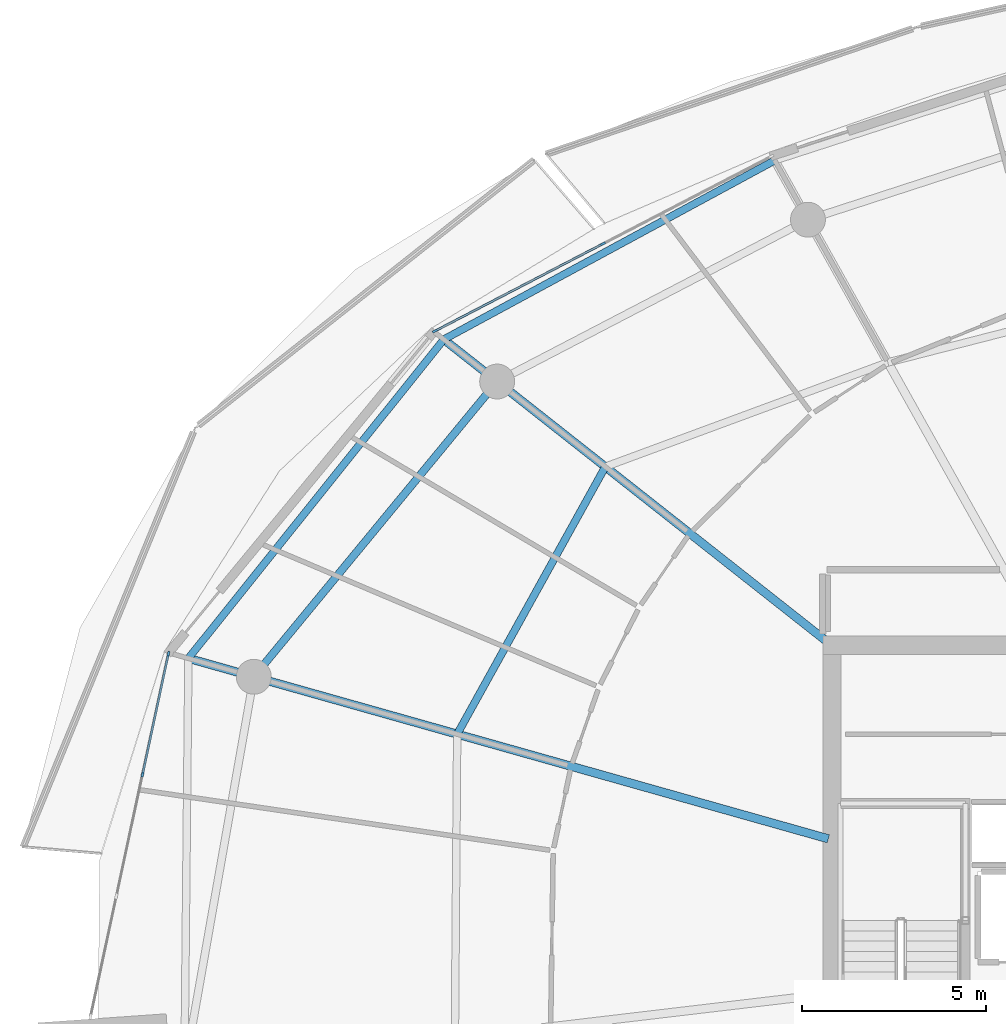
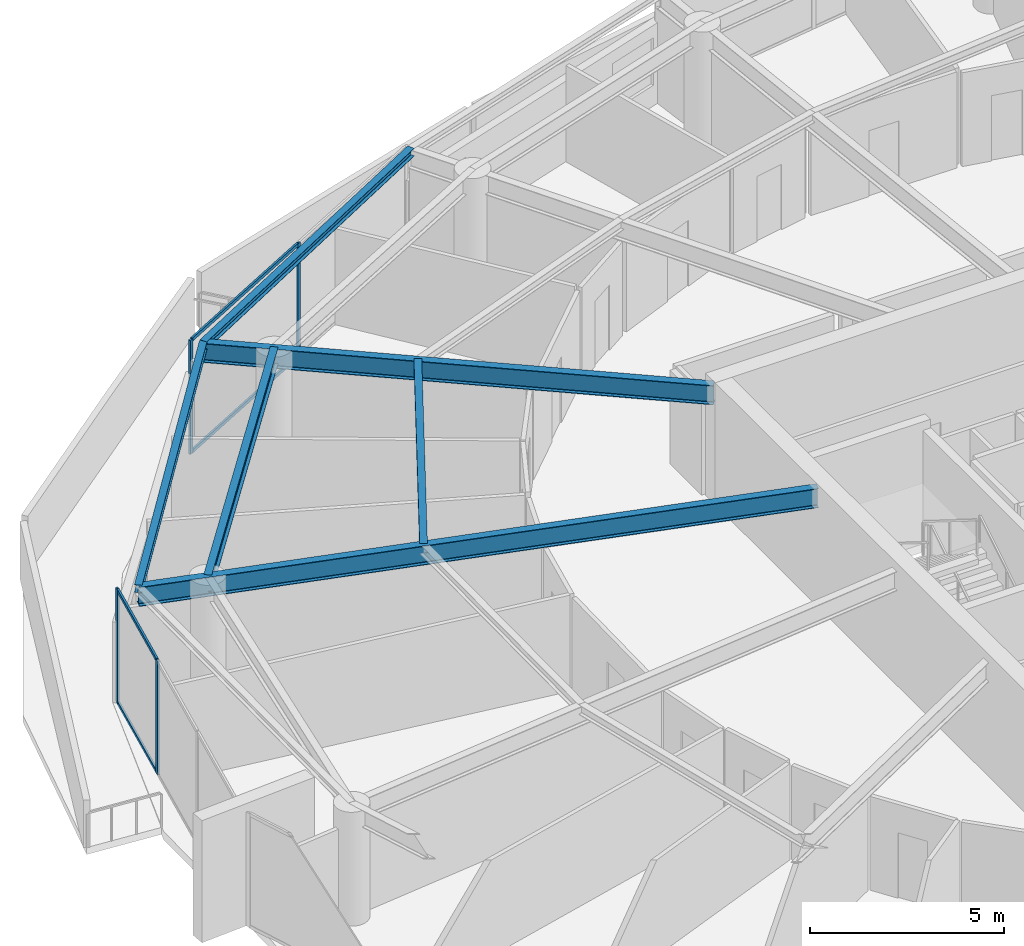
# One storey, part 12 of 30: 8 members, 6 beams, 2 elements without a shape of their own.
"""IFC4 building model written with IfcOpenShell, lengths in metres."""

from ifc_helpers import new_model, si_unit, direction, frame, origin, origin_2d, place, context, subcontext, project, spatial, rectangle, i_section, extrude, material, layer, layer_set, material_profile, profile_set, type_object, element, aggregate, save


model = new_model("IFC4")

# Units and contexts
model_context = context("Model", 3, precision=1e-05, world=origin(), true_north=direction((0.0, 1.0)))
body_context = subcontext(model_context, "Body", "Model", "MODEL_VIEW")
ifc_project = project(units=[si_unit("LENGTHUNIT", "METRE"), si_unit("AREAUNIT", "SQUARE_METRE"), si_unit("VOLUMEUNIT", "CUBIC_METRE"), si_unit("PLANEANGLEUNIT", "RADIAN"), si_unit("MASSUNIT", "GRAM", prefix="KILO")], contexts=[model_context])

# Site, building, storey
site_placement = place(None, origin())
site = spatial("IfcSite", under=ifc_project, at=site_placement, CompositionType="ELEMENT")
building_placement = place(site_placement, origin())
building = spatial("IfcBuilding", under=site, at=building_placement, Name="Kazma Halo Residences", CompositionType="ELEMENT")
storey_placement = place(building_placement, frame((0.0, 0.0, 298.300048828125)))
storey = spatial("IfcBuildingStorey", under=building, at=storey_placement, Name="L75", CompositionType="ELEMENT", Elevation=298.300048828125)

# Beams
ifc_material_1 = material(Name="Steel S355", Category="steel")
ifc_material_profile_1 = material_profile(ifc_material_1, i_section(OverallWidth=0.201904296875, OverallDepth=0.2470703125, WebThickness=0.00732421875, FlangeThickness=0.010986328125, FilletRadius=0.011962890625, at=origin_2d()), Name="W250x49.1")
ifc_profile_set_1 = profile_set([ifc_material_profile_1], Name="Steel S355")
beam_type_1 = type_object("IfcBeamType", Name="BM-BAL-CANT", PredefinedType="BEAM", material=ifc_profile_set_1)
beam_1_placement = place(storey_placement, frame((35.990478515625, 63.444580078125, 3.466552734375), z_axis=(-0.879517282036, -0.475866946321, 0.0), x_axis=(0.475866946321, -0.879517282036, 0.0)))
element("IfcBeam", 1, at=beam_1_placement, inside=storey, type_object=beam_type_1, Name="L75 wave-balcony tie beam 05", PredefinedType="BEAM", context=body_context, shape_type="SweptSolid", body=[
    extrude(i_section(OverallWidth=0.201904296875, OverallDepth=0.2470703125, WebThickness=0.00732421875, FlangeThickness=0.010986328125, FilletRadius=0.011962890625, at=origin_2d()), origin(), (0.0, 0.0, 1.0), 10.243408203125),
])
beam_2_placement = place(storey_placement, frame((26.981201171875, 58.570068359375, 3.466552734375), z_axis=(-0.625117912406, -0.780530329705, 0.0), x_axis=(0.780530329705, -0.625117912406, 0.0)))
element("IfcBeam", 2, at=beam_2_placement, inside=storey, type_object=beam_type_1, Name="L75 wave-balcony tie beam 06", PredefinedType="BEAM", context=body_context, shape_type="SweptSolid", body=[
    extrude(i_section(OverallWidth=0.201904296875, OverallDepth=0.2470703125, WebThickness=0.00732421875, FlangeThickness=0.010986328125, FilletRadius=0.011962890625, at=origin_2d()), origin(), (0.0, 0.0, 1.0), 11.1220703125),
])
ifc_material_profile_2 = material_profile(ifc_material_1, i_section(OverallWidth=0.22802734375, OverallDepth=0.60791015625, WebThickness=0.01123046875, FlangeThickness=0.017333984375, FilletRadius=0.01806640625, at=origin_2d()), Name="W610x113")
ifc_profile_set_2 = profile_set([ifc_material_profile_2], Name="Steel S355")
beam_type_2 = type_object("IfcBeamType", Name="BM-RAD-W610", PredefinedType="BEAM", material=ifc_profile_set_2)
beam_3_placement = place(storey_placement, frame((37.449951171875, 50.31689453125, 3.285888671875), z_axis=(-0.785306836423, 0.619106753854, 0.0), x_axis=(-0.619106753854, -0.785306836423, 0.0)))
element("IfcBeam", 3, at=beam_3_placement, inside=storey, type_object=beam_type_2, Name="L75 radial floor beam 06", PredefinedType="BEAM", context=body_context, shape_type="SweptSolid", body=[
    extrude(i_section(OverallWidth=0.22802734375, OverallDepth=0.60791015625, WebThickness=0.01123046875, FlangeThickness=0.017333984375, FilletRadius=0.01806640625, at=origin_2d()), origin(), (0.0, 0.0, 1.0), 13.330810546875),
])
beam_4_placement = place(storey_placement, frame((37.449951171875, 44.975341796875, 3.285888671875), z_axis=(-0.962451844494, 0.271452476559, 0.0), x_axis=(-0.271452476559, -0.962451844494, 0.0)))
element("IfcBeam", 4, at=beam_4_placement, inside=storey, type_object=beam_type_2, Name="L75 radial floor beam 07", PredefinedType="BEAM", context=body_context, shape_type="SweptSolid", body=[
    extrude(i_section(OverallWidth=0.22802734375, OverallDepth=0.60791015625, WebThickness=0.01123046875, FlangeThickness=0.017333984375, FilletRadius=0.01806640625, at=origin_2d()), origin(), (0.0, 0.0, 1.0), 18.10107421875),
])
ifc_material_profile_3 = material_profile(ifc_material_1, i_section(OverallWidth=0.202880859375, OverallDepth=0.302978515625, WebThickness=0.007568359375, FlangeThickness=0.01318359375, FilletRadius=0.013916015625, at=origin_2d()), Name="W310x60")
ifc_profile_set_3 = profile_set([ifc_material_profile_3], Name="Steel S355")
beam_type_3 = type_object("IfcBeamType", Name="BM-SEC-W310A", PredefinedType="JOIST", material=ifc_profile_set_3)
beam_5_placement = place(storey_placement, frame((31.3779296875, 55.103759765625, 3.4384765625), z_axis=(-0.484616234235, -0.874726874811, 0.0), x_axis=(0.874726874811, -0.484616234235, 0.0)))
element("IfcBeam", 5, at=beam_5_placement, inside=storey, type_object=beam_type_3, Name="L75 circumferential floor joist 06", PredefinedType="JOIST", context=body_context, shape_type="SweptSolid", body=[
    extrude(i_section(OverallWidth=0.202880859375, OverallDepth=0.302978515625, WebThickness=0.007568359375, FlangeThickness=0.01318359375, FilletRadius=0.013916015625, at=origin_2d()), origin(), (0.0, 0.0, 1.0), 8.321044921875),
])
ifc_material_profile_4 = material_profile(ifc_material_1, i_section(OverallWidth=0.208984375, OverallDepth=0.532958984375, WebThickness=0.01025390625, FlangeThickness=0.015625, FilletRadius=0.01611328125, at=origin_2d()), Name="W530x92")
ifc_profile_set_4 = profile_set([ifc_material_profile_4], Name="Steel S355")
beam_type_4 = type_object("IfcBeamType", Name="BM-SPN-W530", PredefinedType="BEAM", material=ifc_profile_set_4)
beam_6_placement = place(storey_placement, frame((28.433837890625, 57.4248046875, 3.323486328125), z_axis=(-0.636002144225, -0.771687289348, 0.0), x_axis=(0.771687289348, -0.636002144225, 0.0)))
element("IfcBeam", 6, at=beam_6_placement, inside=storey, type_object=beam_type_4, Name="L75 perimeter ring beam 06", PredefinedType="BEAM", context=body_context, shape_type="SweptSolid", body=[
    extrude(i_section(OverallWidth=0.208984375, OverallDepth=0.532958984375, WebThickness=0.01025390625, FlangeThickness=0.015625, FilletRadius=0.01611328125, at=origin_2d()), origin(), (0.0, 0.0, 1.0), 10.416259765625),
])

# Curtain wall, members
ifc_material_2 = material(Name="Aluminium AW-6063 T6 and Triple-Silver Low-E Glass", Category="aluminium")
ifc_layer = layer(ifc_material_2, 0.139892578125)
ifc_layer_set = layer_set([ifc_layer], Name="Aluminium AW-6063 T6 and Triple-Silver Low-E Glass")
curtain_wall_type = type_object("IfcCurtainWallType", Name="CW-SYS-5", PredefinedType="NOTDEFINED", material=ifc_layer_set)
curtain_wall_1_placement = place(storey_placement, origin())
curtain_wall_1 = element("IfcCurtainWall", 7, at=curtain_wall_1_placement, inside=storey, type_object=curtain_wall_type, Name="L75 unitised curtain wall B05", PredefinedType="NOTDEFINED")
ifc_material_3 = material(Name="Aluminium AW-6063 T6", Category="aluminium")
ifc_material_profile_5 = material_profile(ifc_material_3, rectangle(XDim=0.06005859375, YDim=0.139892578125, at=origin_2d()), Name="CWM-60x140")
ifc_profile_set_5 = profile_set([ifc_material_profile_5], Name="Aluminium AW-6063 T6")
member_type_1 = type_object("IfcMemberType", Name="CW-SYS-5-MUL", PredefinedType="MULLION", material=ifc_profile_set_5)
member_1_placement = place(storey_placement, frame((31.31591796875, 61.175537109375, 0.0), z_axis=(0.0, 0.0, 1.0), x_axis=(0.460960760804, -0.887420518694, 0.0)))
member_1 = element("IfcMember", 8, at=member_1_placement, type_object=member_type_1, Name="CWS-5 mullion 2", PredefinedType="MULLION", context=body_context, shape_type="SweptSolid", body=[
    extrude(rectangle(XDim=0.06005859375, YDim=0.139892578125, at=origin_2d()), origin(), (0.0, 0.0, 1.0), 3.58984375),
])
member_2_placement = place(storey_placement, frame((26.737060546875, 58.797119140625, 0.0), z_axis=(0.0, 0.0, 1.0), x_axis=(0.460960760804, -0.887420518694, 0.0)))
member_2 = element("IfcMember", 9, at=member_2_placement, type_object=member_type_1, Name="CWS-5 mullion 3", PredefinedType="MULLION", context=body_context, shape_type="SweptSolid", body=[
    extrude(rectangle(XDim=0.06005859375, YDim=0.139892578125, at=origin_2d()), origin(), (0.0, 0.0, 1.0), 3.58984375),
])

curtain_wall_2_placement = place(storey_placement, origin())
curtain_wall_2 = element("IfcCurtainWall", 10, at=curtain_wall_2_placement, inside=storey, type_object=curtain_wall_type, Name="L75 unitised curtain wall B07", PredefinedType="NOTDEFINED")
member_3_placement = place(storey_placement, frame((19.485107421875, 50.010986328125, 0.0), z_axis=(0.0, 0.0, 1.0), x_axis=(0.97777491373, -0.209657382603, 0.0)))
member_3 = element("IfcMember", 11, at=member_3_placement, type_object=member_type_1, Name="CWS-5 mullion 1", PredefinedType="MULLION", context=body_context, shape_type="SweptSolid", body=[
    extrude(rectangle(XDim=0.06005859375, YDim=0.139892578125, at=origin_2d()), origin(), (0.0, 0.0, 1.0), 3.58984375),
])
member_4_placement = place(storey_placement, frame((18.781005859375, 46.7265625, 0.0), z_axis=(0.0, 0.0, 1.0), x_axis=(0.97777491373, -0.209657382603, 0.0)))
member_4 = element("IfcMember", 12, at=member_4_placement, type_object=member_type_1, Name="CWS-5 mullion 2", PredefinedType="MULLION", context=body_context, shape_type="SweptSolid", body=[
    extrude(rectangle(XDim=0.06005859375, YDim=0.139892578125, at=origin_2d()), origin(), (0.0, 0.0, 1.0), 3.58984375),
])

# Member
ifc_material_profile_6 = material_profile(ifc_material_3, rectangle(XDim=0.06005859375, YDim=0.10498046875, at=origin_2d()), Name="CWT-60x105")
ifc_profile_set_6 = profile_set([ifc_material_profile_6], Name="Aluminium AW-6063 T6")
member_type_2 = type_object("IfcMemberType", Name="CW-SYS-5-TRN", PredefinedType="USERDEFINED", material=ifc_profile_set_6)
member_5_placement = place(storey_placement, frame((31.289306640625, 61.16162109375, 0.030029296875), z_axis=(-0.887436955863, -0.46092911534, 0.0), x_axis=(0.46092911534, -0.887436955863, 0.0)))
member_5 = element("IfcMember", 13, at=member_5_placement, type_object=member_type_2, Name="CWS-5 transom 2.1", ObjectType="TRANSOM", PredefinedType="USERDEFINED", context=body_context, shape_type="SweptSolid", body=[
    extrude(rectangle(XDim=0.06005859375, YDim=0.10498046875, at=origin_2d()), origin(), (0.0, 0.0, 1.0), 5.099609375),
])

member_6_placement = place(storey_placement, frame((31.289306640625, 61.16162109375, 3.56005859375), z_axis=(-0.887436955863, -0.46092911534, 0.0), x_axis=(0.46092911534, -0.887436955863, 0.0)))
member_6 = element("IfcMember", 14, at=member_6_placement, type_object=member_type_2, Name="CWS-5 transom 2.2", ObjectType="TRANSOM", PredefinedType="USERDEFINED", context=body_context, shape_type="SweptSolid", body=[
    extrude(rectangle(XDim=0.06005859375, YDim=0.10498046875, at=origin_2d()), origin(), (0.0, 0.0, 1.0), 5.099609375),
])

aggregate(curtain_wall_1, [member_1, member_2, member_5, member_6])

member_7_placement = place(storey_placement, frame((19.47900390625, 49.9814453125, 0.030029296875), z_axis=(-0.209660493552, -0.977774246666, 0.0), x_axis=(0.977774246666, -0.209660493552, 0.0)))
member_7 = element("IfcMember", 15, at=member_7_placement, type_object=member_type_2, Name="CWS-5 transom 1.1", ObjectType="TRANSOM", PredefinedType="USERDEFINED", context=body_context, shape_type="SweptSolid", body=[
    extrude(rectangle(XDim=0.06005859375, YDim=0.10498046875, at=origin_2d()), origin(), (0.0, 0.0, 1.0), 3.298828125),
])

member_8_placement = place(storey_placement, frame((19.47900390625, 49.9814453125, 3.56005859375), z_axis=(-0.209660493552, -0.977774246666, 0.0), x_axis=(0.977774246666, -0.209660493552, 0.0)))
member_8 = element("IfcMember", 16, at=member_8_placement, type_object=member_type_2, Name="CWS-5 transom 1.2", ObjectType="TRANSOM", PredefinedType="USERDEFINED", context=body_context, shape_type="SweptSolid", body=[
    extrude(rectangle(XDim=0.06005859375, YDim=0.10498046875, at=origin_2d()), origin(), (0.0, 0.0, 1.0), 3.298828125),
])

aggregate(curtain_wall_2, [member_3, member_4, member_7, member_8])

save(model, "model.ifc")
